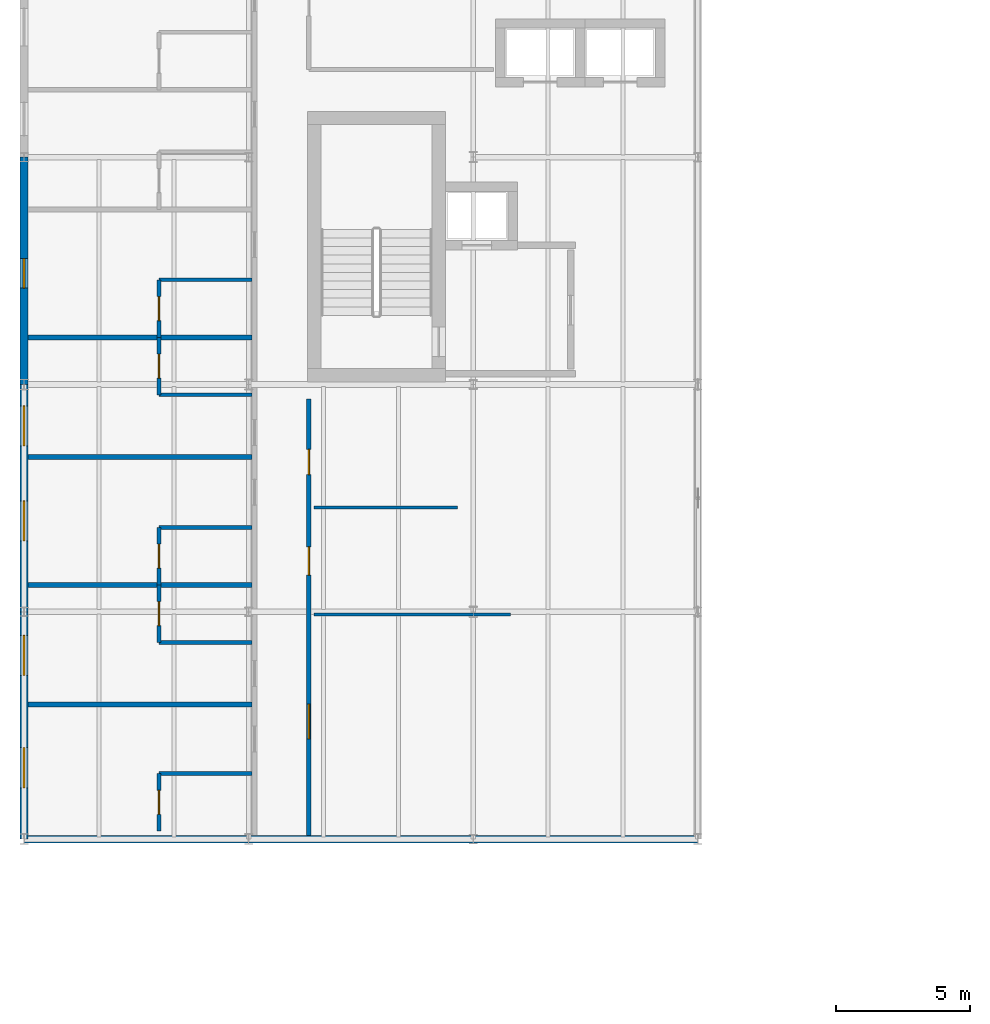
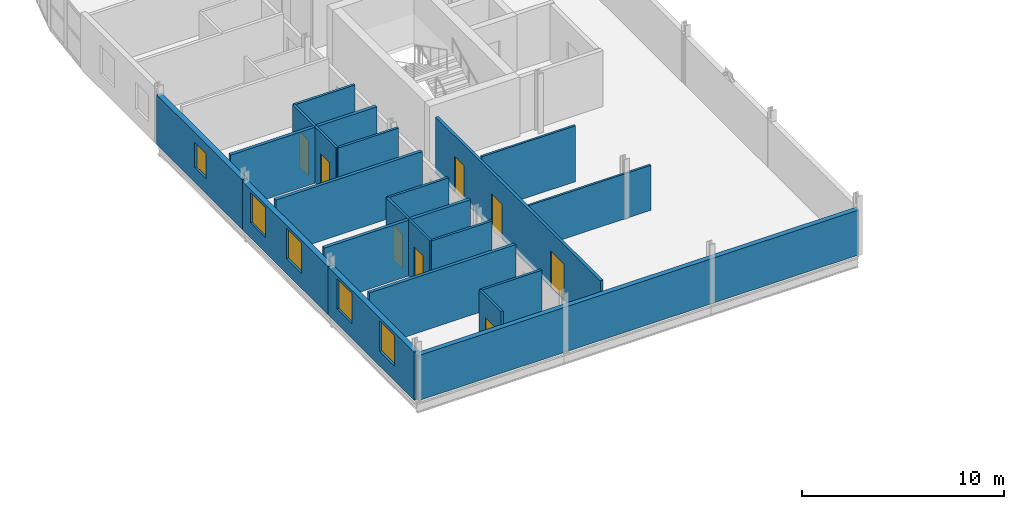
# One storey, part 13 of 25: 21 walls, 8 doors, 5 windows, 13 openings.
"""IFC4 building model written with IfcOpenShell, lengths in metres."""

import ifcopenshell
import ifcopenshell.guid

model = None  # the IFC model being written
_history = None  # IfcOwnerHistory: only IFC2X3 demands one
_inside = {}  # id of a spatial element -> (the spatial element, [elements in it])
_under = {}  # id of a project, library or spatial element -> (it, [spatial elements below it])
_declared = {}  # id of a project -> (the project, [libraries it declares])
_typed = {}  # id of a type object -> (the type object, [elements of that type])
_made_of = {}  # id of a material, layer set ... -> (it, [elements and type objects made of it])


def new_model(schema):
    """Start an empty IFC model of exactly this schema.

    Asked for "IFC4X3", IfcOpenShell would pick the latest addendum, in which some entities
    have other attributes; the version numbers below select the first issue.
    IFC2X3 requires an IfcOwnerHistory on every rooted entity: one is made here for all.
    """
    global model, _history
    if schema == "IFC4X3":
        model = ifcopenshell.file(schema_version=(4, 3, 0, 0))
    else:
        model = ifcopenshell.file(schema=schema)
    _inside.clear()
    _under.clear()
    _declared.clear()
    _typed.clear()
    _made_of.clear()
    _history = None
    if model.schema == "IFC2X3":
        org = make("IfcOrganization", Name="unknown")
        user = make(
            "IfcPersonAndOrganization",
            ThePerson=make("IfcPerson", FamilyName="unknown"),
            TheOrganization=org,
        )
        app = make(
            "IfcApplication",
            ApplicationDeveloper=org,
            Version="unknown",
            ApplicationFullName="unknown",
            ApplicationIdentifier="unknown",
        )
        _history = make(
            "IfcOwnerHistory",
            OwningUser=user,
            OwningApplication=app,
            ChangeAction="ADDED",
            CreationDate=0,
        )
    return model


def make(cls, **values):
    """One entity of the class cls with the attributes given. An attribute that is None is left unset."""
    return model.create_entity(
        cls, **{name: value for name, value in values.items() if value is not None}
    )


def rooted(cls, **values):
    """An entity with a GlobalId (a new one), such as an element, a storey or a relation."""
    return make(cls, GlobalId=ifcopenshell.guid.new(), OwnerHistory=_history, **values)


def si_unit(unit_type, name, prefix=None):
    """IfcSIUnit, for example si_unit("LENGTHUNIT", "METRE", prefix="MILLI")."""
    return make("IfcSIUnit", UnitType=unit_type, Prefix=prefix, Name=name)


def assignment(units):
    """IfcUnitAssignment: the units of a project."""
    return None if units is None else make("IfcUnitAssignment", Units=units)


def point(xyz):
    """IfcCartesianPoint."""
    return None if xyz is None else make("IfcCartesianPoint", Coordinates=xyz)


def direction(xyz):
    """IfcDirection."""
    return None if xyz is None else make("IfcDirection", DirectionRatios=xyz)


def frame(location, z_axis=None, x_axis=None):
    """IfcAxis2Placement3D, a coordinate frame: its origin and axes. An axis left out is left unset."""
    return make(
        "IfcAxis2Placement3D",
        Location=point(location),
        Axis=direction(z_axis),
        RefDirection=direction(x_axis),
    )


def frame_2d(location, x_axis=None):
    """IfcAxis2Placement2D, a coordinate frame in the plane: its origin and x axis."""
    return make(
        "IfcAxis2Placement2D", Location=point(location), RefDirection=direction(x_axis)
    )


def origin():
    """The frame at (0, 0, 0) with its axes left unset."""
    return frame((0.0, 0.0, 0.0))


def place(relative_to, where):
    """IfcLocalPlacement: puts the frame where relative to a parent placement (None: the world)."""
    return make(
        "IfcLocalPlacement", PlacementRelTo=relative_to, RelativePlacement=where
    )


def context(
    kind, dimensions, precision=None, world=None, true_north=None, identifier=None
):
    """IfcGeometricRepresentationContext, for example the 3D "Model" context."""
    return make(
        "IfcGeometricRepresentationContext",
        ContextIdentifier=identifier,
        ContextType=kind,
        CoordinateSpaceDimension=dimensions,
        Precision=precision,
        WorldCoordinateSystem=world,
        TrueNorth=true_north,
    )


def subcontext(parent, identifier, kind, view, scale=None):
    """IfcGeometricRepresentationSubContext, for example "Body" below "Model"."""
    return make(
        "IfcGeometricRepresentationSubContext",
        ContextIdentifier=identifier,
        ContextType=kind,
        ParentContext=parent,
        TargetScale=scale,
        TargetView=view,
    )


def project(units=None, contexts=None):
    """IfcProject with its units and contexts."""
    return rooted(
        "IfcProject",
        Name="project",
        RepresentationContexts=contexts,
        UnitsInContext=assignment(units),
    )


def spatial(cls, under=None, at=None, **own):
    """A site, building, storey or space (cls), placed at a placement, below another one or the project."""
    s = rooted(cls, ObjectPlacement=at, **own)
    if under is not None:
        _under.setdefault(under.id(), (under, []))[1].append(s)
    return s


def profile(cls, at=None, kind="AREA", **sizes):
    """A parametric profile (cls). Its sizes go by their IFC names, for example OverallWidth=200.0."""
    return make(cls, ProfileType=kind, Position=at, **sizes)


def rectangle(**sizes):
    """IfcRectangleProfileDef."""
    return profile("IfcRectangleProfileDef", **sizes)


def extrude(swept, where, along, depth):
    """IfcExtrudedAreaSolid: the profile swept, set in the frame where, extruded along a direction by depth."""
    return make(
        "IfcExtrudedAreaSolid",
        SweptArea=swept,
        Position=where,
        ExtrudedDirection=direction(along),
        Depth=depth,
    )


def shape(context_of_items, identifier, shape_type, items):
    """IfcShapeRepresentation: the items that make up one representation, for example the "Body"."""
    return make(
        "IfcShapeRepresentation",
        ContextOfItems=context_of_items,
        RepresentationIdentifier=identifier,
        RepresentationType=shape_type,
        Items=items,
    )


def material(Name=None, Category=None):
    """IfcMaterial."""
    return make("IfcMaterial", Name=Name, Category=Category)


def layer(
    of_material, thickness, ventilated=None, Name=None, Category=None, Priority=None
):
    """IfcMaterialLayer: one layer of a wall or slab, of a material (None: an air gap)."""
    return make(
        "IfcMaterialLayer",
        Material=of_material,
        LayerThickness=thickness,
        IsVentilated=ventilated,
        Name=Name,
        Category=Category,
        Priority=Priority,
    )


def layer_set(layers, Name=None):
    """IfcMaterialLayerSet."""
    return make("IfcMaterialLayerSet", MaterialLayers=layers, LayerSetName=Name)


def made_of(thing, what):
    """Note that an element or type object is made of a material, layer set ...; save() writes the relation."""
    if what is not None:
        _made_of.setdefault(what.id(), (what, []))[1].append(thing)
    return thing


def type_object(cls, material=None, **own):
    """A type object (cls), such as IfcWallType, which elements share."""
    return made_of(rooted(cls, **own), material)


def element(
    cls,
    number,
    at=None,
    inside=None,
    cuts=None,
    type_object=None,
    material=None,
    context=None,
    identifier="Body",
    shape_type=None,
    held_by="IfcProductDefinitionShape",
    body=None,
    shapes=None,
    **own,
):
    """One element of the class cls, such as IfcWall. Its Tag is "e" and its number.

    at: its placement. inside: the storey or other place that contains it. cuts: it is an
    opening in that element (IfcRelVoidsElement). A single representation is given by context,
    identifier, shape_type and body (its items); several are given by shapes. held_by: the class
    of the entity that holds the representations. save() writes the other relations.
    """
    e = rooted(cls, Tag="e%d" % number, ObjectPlacement=at, **own)
    if body is not None:
        shapes = [shape(context, identifier, shape_type, body)]
    if shapes is not None:
        e.Representation = make(held_by, Representations=shapes)
    if inside is not None:
        _inside.setdefault(inside.id(), (inside, []))[1].append(e)
    if cuts is not None:
        rooted(
            "IfcRelVoidsElement", RelatingBuildingElement=cuts, RelatedOpeningElement=e
        )
    if type_object is not None:
        _typed.setdefault(type_object.id(), (type_object, []))[1].append(e)
    return made_of(e, material)


def fill(opening, filler):
    """IfcRelFillsElement: the door or window that sits in an opening."""
    return rooted(
        "IfcRelFillsElement",
        RelatingOpeningElement=opening,
        RelatedBuildingElement=filler,
    )


def aggregate(whole, parts):
    """IfcRelAggregates: a whole, such as a stair, and the parts it consists of."""
    return rooted("IfcRelAggregates", RelatingObject=whole, RelatedObjects=parts)


def save(model, path):
    """Write the relations noted so far, then the file.

    IfcRelAggregates (storeys below a building ...), IfcRelContainedInSpatialStructure (elements
    in a storey), IfcRelDefinesByType, IfcRelAssociatesMaterial and IfcRelDeclares: one each for
    every whole, place, type object, material and project.
    """
    for whole, parts in _under.values():
        aggregate(whole, parts)
    for where, things in _inside.values():
        rooted(
            "IfcRelContainedInSpatialStructure",
            RelatedElements=things,
            RelatingStructure=where,
        )
    for kind, things in _typed.values():
        rooted("IfcRelDefinesByType", RelatedObjects=things, RelatingType=kind)
    for what, things in _made_of.values():
        rooted("IfcRelAssociatesMaterial", RelatedObjects=things, RelatingMaterial=what)
    for by, libraries in _declared.values():
        rooted("IfcRelDeclares", RelatingContext=by, RelatedDefinitions=libraries)
    model.write(path)


model = new_model("IFC4")

# Units and contexts
model_context = context("Model", 3, precision=1e-05, world=origin(), true_north=direction((0.0, 1.0)))
body_context = subcontext(model_context, "Body", "Model", "MODEL_VIEW")
ifc_project = project(units=[si_unit("LENGTHUNIT", "METRE"), si_unit("AREAUNIT", "SQUARE_METRE"), si_unit("VOLUMEUNIT", "CUBIC_METRE"), si_unit("PLANEANGLEUNIT", "RADIAN"), si_unit("MASSUNIT", "GRAM", prefix="KILO")], contexts=[model_context])

# Site, building, storey
site_placement = place(None, origin())
site = spatial("IfcSite", under=ifc_project, at=site_placement, CompositionType="ELEMENT")
building_placement = place(site_placement, origin())
building = spatial("IfcBuilding", under=site, at=building_placement, Name="Sefraquen Railside Congress Hotel", CompositionType="ELEMENT")
storey_placement = place(building_placement, frame((0.0, 0.0, 39.0)))
storey = spatial("IfcBuildingStorey", under=building, at=storey_placement, Name="L09", CompositionType="ELEMENT", Elevation=39.0)

# Wall
ifc_material_1 = material(Name="Ochre Rabat calcarenite limestone and Concrete C40/50 backing", Category="masonry")
ifc_layer_1 = layer(ifc_material_1, 0.280029296875)
ifc_layer_set_1 = layer_set([ifc_layer_1], Name="Ochre Rabat calcarenite limestone and Concrete C40/50 backing")
wall_type_1 = type_object("IfcWallType", Name="TW-EW-280", PredefinedType="STANDARD", material=ifc_layer_set_1)
wall_1_placement = place(storey_placement, frame((0.0, 62.5, 0.0), z_axis=(0.0, 0.0, 1.0), x_axis=(1.0, 0.0, 0.0)))
element("IfcWall", 1, at=wall_1_placement, inside=storey, type_object=wall_type_1, Name="Hotel L09 south-west return wall", PredefinedType="STANDARD", context=body_context, shape_type="SweptSolid", body=[
    extrude(rectangle(XDim=25.199951171875, YDim=0.280029296875, at=frame_2d((12.60009765625, 0.0))), origin(), (0.0, 0.0, 1.0), 2.719970703125),
])

# Wall, openings, windows
ifc_layer_2 = layer(ifc_material_1, 0.300048828125)
ifc_layer_set_2 = layer_set([ifc_layer_2], Name="Ochre Rabat calcarenite limestone and Concrete C40/50 backing")
wall_type_2 = type_object("IfcWallType", Name="TW-EW-300", PredefinedType="STANDARD", material=ifc_layer_set_2)
wall_2_placement = place(storey_placement, frame((0.0, 62.5, 0.0), z_axis=(0.0, 0.0, 1.0), x_axis=(0.0, 1.0, 0.0)))
wall_2 = element("IfcWall", 2, at=wall_2_placement, inside=storey, type_object=wall_type_2, Name="Hotel L09 West Forecourt facade wall", PredefinedType="STANDARD", context=body_context, shape_type="SweptSolid", body=[
    extrude(rectangle(XDim=8.5, YDim=0.300048828125, at=frame_2d((4.25, 0.0))), origin(), (0.0, 0.0, 1.0), 2.909912109375),
])
opening_1_placement = place(wall_2_placement, frame((1.9169921875, 0.0, 0.89990234375)))
opening_1 = element("IfcOpeningElement", 3, at=opening_1_placement, cuts=wall_2, Name="Opening WN-17", PredefinedType="OPENING", context=body_context, shape_type="SweptSolid", body=[
    extrude(rectangle(XDim=1.5, YDim=1.830078125, at=frame_2d((0.75, 0.9150390625))), frame((0.0, 0.159912109375, 0.0), z_axis=(0.0, -1.0, 0.0), x_axis=(1.0, 0.0, 0.0)), (0.0, 0.0, 1.0), 0.320068359375),
])
opening_2_placement = place(wall_2_placement, frame((6.118896484375, 0.0, 0.89990234375)))
opening_2 = element("IfcOpeningElement", 4, at=opening_2_placement, cuts=wall_2, Name="Opening WN-18", PredefinedType="OPENING", context=body_context, shape_type="SweptSolid", body=[
    extrude(rectangle(XDim=1.5, YDim=1.830078125, at=frame_2d((0.75, 0.9150390625))), frame((0.0, 0.159912109375, 0.0), z_axis=(0.0, -1.0, 0.0), x_axis=(1.0, 0.0, 0.0)), (0.0, 0.0, 1.0), 0.320068359375),
])
ifc_material_2 = material(Name="Solar-control low-E double glazing in bronze-anodised frame", Category="glass")
window_type_1 = type_object("IfcWindowType", Name="TWN-W-17", PartitioningType="DOUBLE_PANEL_VERTICAL", PredefinedType="WINDOW", material=ifc_material_2)
window_1_placement = place(opening_1_placement, origin())
window_1 = element("IfcWindow", 5, at=window_1_placement, inside=storey, type_object=window_type_1, Name="Guest room west window SP-L09-RM-026", OverallHeight=1.830078125, OverallWidth=1.5, PartitioningType="DOUBLE_PANEL_VERTICAL", PredefinedType="WINDOW", context=body_context, shape_type="SweptSolid", body=[
    extrude(rectangle(XDim=1.5, YDim=1.830078125, at=frame_2d((0.75, 0.9150390625))), frame((0.0, 0.030029296875, 0.0), z_axis=(0.0, -1.0, 0.0), x_axis=(1.0, 0.0, 0.0)), (0.0, 0.0, 1.0), 0.06005859375),
])
fill(opening_1, window_1)
window_type_2 = type_object("IfcWindowType", Name="TWN-W-18", PartitioningType="DOUBLE_PANEL_VERTICAL", PredefinedType="WINDOW", material=ifc_material_2)
window_2_placement = place(opening_2_placement, origin())
window_2 = element("IfcWindow", 6, at=window_2_placement, inside=storey, type_object=window_type_2, Name="Guest room west window SP-L09-RM-027", OverallHeight=1.830078125, OverallWidth=1.5, PartitioningType="DOUBLE_PANEL_VERTICAL", PredefinedType="WINDOW", context=body_context, shape_type="SweptSolid", body=[
    extrude(rectangle(XDim=1.5, YDim=1.830078125, at=frame_2d((0.75, 0.9150390625))), frame((0.0, 0.030029296875, 0.0), z_axis=(0.0, -1.0, 0.0), x_axis=(1.0, 0.0, 0.0)), (0.0, 0.0, 1.0), 0.06005859375),
])
fill(opening_2, window_2)

wall_3_placement = place(storey_placement, frame((0.0, 71.0, 0.0), z_axis=(0.0, 0.0, 1.0), x_axis=(0.0, 1.0, 0.0)))
wall_3 = element("IfcWall", 7, at=wall_3_placement, inside=storey, type_object=wall_type_2, Name="Hotel L09 West Forecourt facade wall", PredefinedType="STANDARD", context=body_context, shape_type="SweptSolid", body=[
    extrude(rectangle(XDim=8.5, YDim=0.300048828125, at=frame_2d((4.25, 0.0))), origin(), (0.0, 0.0, 1.0), 2.909912109375),
])
opening_3_placement = place(wall_3_placement, frame((2.64794921875, 0.0, 0.89990234375)))
opening_3 = element("IfcOpeningElement", 8, at=opening_3_placement, cuts=wall_3, Name="Opening WN-19", PredefinedType="OPENING", context=body_context, shape_type="SweptSolid", body=[
    extrude(rectangle(XDim=1.5, YDim=1.830078125, at=frame_2d((0.75, 0.9150390625))), frame((0.0, 0.159912109375, 0.0), z_axis=(0.0, -1.0, 0.0), x_axis=(1.0, 0.0, 0.0)), (0.0, 0.0, 1.0), 0.320068359375),
])
opening_4_placement = place(wall_3_placement, frame((6.199951171875, 0.0, 0.89990234375)))
opening_4 = element("IfcOpeningElement", 9, at=opening_4_placement, cuts=wall_3, Name="Opening WN-20", PredefinedType="OPENING", context=body_context, shape_type="SweptSolid", body=[
    extrude(rectangle(XDim=1.5, YDim=1.830078125, at=frame_2d((0.75, 0.9150390625))), frame((0.0, 0.159912109375, 0.0), z_axis=(0.0, -1.0, 0.0), x_axis=(1.0, 0.0, 0.0)), (0.0, 0.0, 1.0), 0.320068359375),
])
window_type_3 = type_object("IfcWindowType", Name="TWN-W-19", PartitioningType="DOUBLE_PANEL_VERTICAL", PredefinedType="WINDOW", material=ifc_material_2)
window_3_placement = place(opening_3_placement, origin())
window_3 = element("IfcWindow", 10, at=window_3_placement, inside=storey, type_object=window_type_3, Name="Guest room west window SP-L09-RM-028", OverallHeight=1.830078125, OverallWidth=1.5, PartitioningType="DOUBLE_PANEL_VERTICAL", PredefinedType="WINDOW", context=body_context, shape_type="SweptSolid", body=[
    extrude(rectangle(XDim=1.5, YDim=1.830078125, at=frame_2d((0.75, 0.9150390625))), frame((0.0, 0.030029296875, 0.0), z_axis=(0.0, -1.0, 0.0), x_axis=(1.0, 0.0, 0.0)), (0.0, 0.0, 1.0), 0.06005859375),
])
fill(opening_3, window_3)
window_type_4 = type_object("IfcWindowType", Name="TWN-W-20", PartitioningType="DOUBLE_PANEL_VERTICAL", PredefinedType="WINDOW", material=ifc_material_2)
window_4_placement = place(opening_4_placement, origin())
window_4 = element("IfcWindow", 11, at=window_4_placement, inside=storey, type_object=window_type_4, Name="Guest room west window SP-L09-RM-029", OverallHeight=1.830078125, OverallWidth=1.5, PartitioningType="DOUBLE_PANEL_VERTICAL", PredefinedType="WINDOW", context=body_context, shape_type="SweptSolid", body=[
    extrude(rectangle(XDim=1.5, YDim=1.830078125, at=frame_2d((0.75, 0.9150390625))), frame((0.0, 0.030029296875, 0.0), z_axis=(0.0, -1.0, 0.0), x_axis=(1.0, 0.0, 0.0)), (0.0, 0.0, 1.0), 0.06005859375),
])
fill(opening_4, window_4)

# Wall, opening, window
wall_4_placement = place(storey_placement, frame((0.0, 79.5, 0.0), z_axis=(0.0, 0.0, 1.0), x_axis=(0.0, 1.0, 0.0)))
wall_4 = element("IfcWall", 12, at=wall_4_placement, inside=storey, type_object=wall_type_2, Name="Hotel L09 West Forecourt facade wall", PredefinedType="STANDARD", context=body_context, shape_type="SweptSolid", body=[
    extrude(rectangle(XDim=8.5, YDim=0.300048828125, at=frame_2d((4.25, 0.0))), origin(), (0.0, 0.0, 1.0), 3.010009765625),
])
opening_5_placement = place(wall_4_placement, frame((3.60498046875, 0.0, 0.89990234375)))
opening_5 = element("IfcOpeningElement", 13, at=opening_5_placement, cuts=wall_4, Name="Opening WN-21", PredefinedType="OPENING", context=body_context, shape_type="SweptSolid", body=[
    extrude(rectangle(XDim=1.10009765625, YDim=1.5, at=frame_2d((0.550048828125, 0.75))), frame((0.0, 0.159912109375, 0.0), z_axis=(0.0, -1.0, 0.0), x_axis=(1.0, 0.0, 0.0)), (0.0, 0.0, 1.0), 0.320068359375),
])
window_type_5 = type_object("IfcWindowType", Name="TWN-W-21", PartitioningType="DOUBLE_PANEL_VERTICAL", PredefinedType="WINDOW", material=ifc_material_2)
window_5_placement = place(opening_5_placement, origin())
window_5 = element("IfcWindow", 14, at=window_5_placement, inside=storey, type_object=window_type_5, Name="Guest room west window SP-L09-RM-030", OverallHeight=1.5, OverallWidth=1.10009765625, PartitioningType="DOUBLE_PANEL_VERTICAL", PredefinedType="WINDOW", context=body_context, shape_type="SweptSolid", body=[
    extrude(rectangle(XDim=1.10009765625, YDim=1.5, at=frame_2d((0.550048828125, 0.75))), frame((0.0, 0.030029296875, 0.0), z_axis=(0.0, -1.0, 0.0), x_axis=(1.0, 0.0, 0.0)), (0.0, 0.0, 1.0), 0.06005859375),
])
fill(opening_5, window_5)

# Walls
ifc_material_3 = material(Name="Gypsum board on metal stud", Category="gypsum")
ifc_layer_3 = layer(ifc_material_3, 0.1201171875)
ifc_layer_set_3 = layer_set([ifc_layer_3], Name="Gypsum board on metal stud")
wall_type_3 = type_object("IfcWallType", Name="TW-PW-120", PredefinedType="PARTITIONING", material=ifc_layer_set_3)
wall_5_placement = place(storey_placement, frame((10.85009765625, 70.89990234375, 0.0), z_axis=(0.0, 0.0, 1.0), x_axis=(1.0, 0.0, 0.0)))
element("IfcWall", 15, at=wall_5_placement, inside=storey, type_object=wall_type_3, Name="Lounge-pantry divider L09", PredefinedType="PARTITIONING", context=body_context, shape_type="SweptSolid", body=[
    extrude(rectangle(XDim=7.349853515625, YDim=0.1201171875, at=frame_2d((3.6748046875, 0.0))), origin(), (0.0, 0.0, 1.0), 2.719970703125),
])
wall_6_placement = place(storey_placement, frame((10.85009765625, 74.89990234375, 0.0), z_axis=(0.0, 0.0, 1.0), x_axis=(1.0, 0.0, 0.0)))
element("IfcWall", 16, at=wall_6_placement, inside=storey, type_object=wall_type_3, Name="Pantry-WC divider L09", PredefinedType="PARTITIONING", context=body_context, shape_type="SweptSolid", body=[
    extrude(rectangle(XDim=5.349853515625, YDim=0.1201171875, at=frame_2d((2.6748046875, 0.0))), origin(), (0.0, 0.0, 1.0), 3.3798828125),
])
ifc_material_4 = material(Name="Moisture-resistant gypsum board", Category="gypsum")
ifc_layer_4 = layer(ifc_material_4, 0.139892578125)
ifc_layer_set_4 = layer_set([ifc_layer_4], Name="Moisture-resistant gypsum board")
wall_type_4 = type_object("IfcWallType", Name="TW-PW-140", PredefinedType="PARTITIONING", material=ifc_layer_set_4)
wall_7_placement = place(storey_placement, frame((5.050048828125, 64.949951171875, 0.0), z_axis=(0.0, 0.0, 1.0), x_axis=(1.0, 0.0, 0.0)))
element("IfcWall", 17, at=wall_7_placement, inside=storey, type_object=wall_type_4, Name="West en-suite bathroom north wall RM-026", PredefinedType="PARTITIONING", context=body_context, shape_type="SweptSolid", body=[
    extrude(rectangle(XDim=3.469970703125, YDim=0.139892578125, at=frame_2d((1.73486328125, 0.0))), origin(), (0.0, 0.0, 1.0), 3.3798828125),
])

# Wall, opening, door
wall_8_placement = place(storey_placement, frame((5.050048828125, 62.800048828125, 0.0), z_axis=(0.0, 0.0, 1.0), x_axis=(0.0, 1.0, 0.0)))
wall_8 = element("IfcWall", 18, at=wall_8_placement, inside=storey, type_object=wall_type_4, Name="West en-suite bathroom west wall RM-026", PredefinedType="PARTITIONING", context=body_context, shape_type="SweptSolid", body=[
    extrude(rectangle(XDim=2.14990234375, YDim=0.139892578125, at=frame_2d((1.074951171875, 0.0))), origin(), (0.0, 0.0, 1.0), 3.3798828125),
])
opening_6_placement = place(wall_8_placement, frame((0.625, 0.0, 0.0)))
opening_6 = element("IfcOpeningElement", 19, at=opening_6_placement, cuts=wall_8, Name="Opening ID-02", PredefinedType="OPENING", context=body_context, shape_type="SweptSolid", body=[
    extrude(rectangle(XDim=0.89990234375, YDim=2.10009765625, at=frame_2d((0.449951171875, 1.050048828125))), frame((0.0, 0.079833984375, 0.0), z_axis=(0.0, -1.0, 0.0), x_axis=(1.0, 0.0, 0.0)), (0.0, 0.0, 1.0), 0.159912109375),
])
ifc_material_5 = material(Name="Lacquered cedar joinery", Category="wood")
door_type_1 = type_object("IfcDoorType", Name="TD-ID-02", OperationType="NOTDEFINED", PredefinedType="DOOR", material=ifc_material_5)
door_1_placement = place(opening_6_placement, frame((0.89990234375, 0.0, 0.0), z_axis=(0.0, 0.0, 1.0), x_axis=(-1.0, 0.0, 0.0)))
door_1 = element("IfcDoor", 20, at=door_1_placement, inside=storey, type_object=door_type_1, Name="En-suite bathroom door RM-026", OperationType="SINGLE_SWING_LEFT", OverallHeight=2.10009765625, OverallWidth=0.89990234375, PredefinedType="DOOR", context=body_context, shape_type="SweptSolid", body=[
    extrude(rectangle(XDim=0.89990234375, YDim=2.10009765625, at=frame_2d((0.449951171875, 1.050048828125))), frame((0.0, 0.02490234375, 0.0), z_axis=(0.0, -1.0, 0.0), x_axis=(1.0, 0.0, 0.0)), (0.0, 0.0, 1.0), 0.050048828125),
])
fill(opening_6, door_1)

# Wall
wall_9_placement = place(storey_placement, frame((5.050048828125, 69.85498046875, 0.0), z_axis=(0.0, 0.0, 1.0), x_axis=(1.0, 0.0, 0.0)))
element("IfcWall", 21, at=wall_9_placement, inside=storey, type_object=wall_type_4, Name="West en-suite bathroom south wall RM-027", PredefinedType="PARTITIONING", context=body_context, shape_type="SweptSolid", body=[
    extrude(rectangle(XDim=3.469970703125, YDim=0.139892578125, at=frame_2d((1.73486328125, 0.0))), origin(), (0.0, 0.0, 1.0), 3.3798828125),
])

# Wall, opening, door
wall_10_placement = place(storey_placement, frame((5.050048828125, 69.85498046875, 0.0), z_axis=(0.0, 0.0, 1.0), x_axis=(0.0, 1.0, 0.0)))
wall_10 = element("IfcWall", 22, at=wall_10_placement, inside=storey, type_object=wall_type_4, Name="West en-suite bathroom west wall RM-027", PredefinedType="PARTITIONING", context=body_context, shape_type="SweptSolid", body=[
    extrude(rectangle(XDim=2.14990234375, YDim=0.139892578125, at=frame_2d((1.074951171875, 0.0))), origin(), (0.0, 0.0, 1.0), 3.3798828125),
])
opening_7_placement = place(wall_10_placement, frame((0.625, 0.0, 0.0)))
opening_7 = element("IfcOpeningElement", 23, at=opening_7_placement, cuts=wall_10, Name="Opening ID-02", PredefinedType="OPENING", context=body_context, shape_type="SweptSolid", body=[
    extrude(rectangle(XDim=0.89990234375, YDim=2.10009765625, at=frame_2d((0.449951171875, 1.050048828125))), frame((0.0, 0.079833984375, 0.0), z_axis=(0.0, -1.0, 0.0), x_axis=(1.0, 0.0, 0.0)), (0.0, 0.0, 1.0), 0.159912109375),
])
door_2_placement = place(opening_7_placement, frame((0.89990234375, 0.0, 0.0), z_axis=(0.0, 0.0, 1.0), x_axis=(-1.0, 0.0, 0.0)))
door_2 = element("IfcDoor", 24, at=door_2_placement, inside=storey, type_object=door_type_1, Name="En-suite bathroom door RM-027", OperationType="SINGLE_SWING_LEFT", OverallHeight=2.10009765625, OverallWidth=0.89990234375, PredefinedType="DOOR", context=body_context, shape_type="SweptSolid", body=[
    extrude(rectangle(XDim=0.89990234375, YDim=2.10009765625, at=frame_2d((0.449951171875, 1.050048828125))), frame((0.0, 0.02490234375, 0.0), z_axis=(0.0, -1.0, 0.0), x_axis=(1.0, 0.0, 0.0)), (0.0, 0.0, 1.0), 0.050048828125),
])
fill(opening_7, door_2)

# Wall
wall_11_placement = place(storey_placement, frame((5.050048828125, 74.155029296875, 0.0), z_axis=(0.0, 0.0, 1.0), x_axis=(1.0, 0.0, 0.0)))
element("IfcWall", 25, at=wall_11_placement, inside=storey, type_object=wall_type_4, Name="West en-suite bathroom north wall RM-028", PredefinedType="PARTITIONING", context=body_context, shape_type="SweptSolid", body=[
    extrude(rectangle(XDim=3.469970703125, YDim=0.139892578125, at=frame_2d((1.73486328125, 0.0))), origin(), (0.0, 0.0, 1.0), 3.3798828125),
])

# Wall, opening, door
wall_12_placement = place(storey_placement, frame((5.050048828125, 72.0048828125, 0.0), z_axis=(0.0, 0.0, 1.0), x_axis=(0.0, 1.0, 0.0)))
wall_12 = element("IfcWall", 26, at=wall_12_placement, inside=storey, type_object=wall_type_4, Name="West en-suite bathroom west wall RM-028", PredefinedType="PARTITIONING", context=body_context, shape_type="SweptSolid", body=[
    extrude(rectangle(XDim=2.150146484375, YDim=0.139892578125, at=frame_2d((1.0751953125, 0.0))), origin(), (0.0, 0.0, 1.0), 3.3798828125),
])
opening_8_placement = place(wall_12_placement, frame((0.625, 0.0, 0.0)))
opening_8 = element("IfcOpeningElement", 27, at=opening_8_placement, cuts=wall_12, Name="Opening ID-02", PredefinedType="OPENING", context=body_context, shape_type="SweptSolid", body=[
    extrude(rectangle(XDim=0.89990234375, YDim=2.10009765625, at=frame_2d((0.449951171875, 1.050048828125))), frame((0.0, 0.079833984375, 0.0), z_axis=(0.0, -1.0, 0.0), x_axis=(1.0, 0.0, 0.0)), (0.0, 0.0, 1.0), 0.159912109375),
])
door_3_placement = place(opening_8_placement, frame((0.89990234375, 0.0, 0.0), z_axis=(0.0, 0.0, 1.0), x_axis=(-1.0, 0.0, 0.0)))
door_3 = element("IfcDoor", 28, at=door_3_placement, inside=storey, type_object=door_type_1, Name="En-suite bathroom door RM-028", OperationType="SINGLE_SWING_LEFT", OverallHeight=2.10009765625, OverallWidth=0.89990234375, PredefinedType="DOOR", context=body_context, shape_type="SweptSolid", body=[
    extrude(rectangle(XDim=0.89990234375, YDim=2.10009765625, at=frame_2d((0.449951171875, 1.050048828125))), frame((0.0, 0.02490234375, 0.0), z_axis=(0.0, -1.0, 0.0), x_axis=(1.0, 0.0, 0.0)), (0.0, 0.0, 1.0), 0.050048828125),
])
fill(opening_8, door_3)

# Wall
wall_13_placement = place(storey_placement, frame((5.050048828125, 79.112060546875, 0.0), z_axis=(0.0, 0.0, 1.0), x_axis=(1.0, 0.0, 0.0)))
element("IfcWall", 29, at=wall_13_placement, inside=storey, type_object=wall_type_4, Name="West en-suite bathroom south wall RM-029", PredefinedType="PARTITIONING", context=body_context, shape_type="SweptSolid", body=[
    extrude(rectangle(XDim=3.469970703125, YDim=0.139892578125, at=frame_2d((1.73486328125, 0.0))), origin(), (0.0, 0.0, 1.0), 3.3798828125),
])

# Wall, opening, door
wall_14_placement = place(storey_placement, frame((5.050048828125, 79.112060546875, 0.0), z_axis=(0.0, 0.0, 1.0), x_axis=(0.0, 1.0, 0.0)))
wall_14 = element("IfcWall", 30, at=wall_14_placement, inside=storey, type_object=wall_type_4, Name="West en-suite bathroom west wall RM-029", PredefinedType="PARTITIONING", context=body_context, shape_type="SweptSolid", body=[
    extrude(rectangle(XDim=2.14990234375, YDim=0.139892578125, at=frame_2d((1.074951171875, 0.0))), origin(), (0.0, 0.0, 1.0), 3.3798828125),
])
opening_9_placement = place(wall_14_placement, frame((0.625, 0.0, 0.0)))
opening_9 = element("IfcOpeningElement", 31, at=opening_9_placement, cuts=wall_14, Name="Opening ID-02", PredefinedType="OPENING", context=body_context, shape_type="SweptSolid", body=[
    extrude(rectangle(XDim=0.89990234375, YDim=2.10009765625, at=frame_2d((0.449951171875, 1.050048828125))), frame((0.0, 0.079833984375, 0.0), z_axis=(0.0, -1.0, 0.0), x_axis=(1.0, 0.0, 0.0)), (0.0, 0.0, 1.0), 0.159912109375),
])
door_4_placement = place(opening_9_placement, frame((0.89990234375, 0.0, 0.0), z_axis=(0.0, 0.0, 1.0), x_axis=(-1.0, 0.0, 0.0)))
door_4 = element("IfcDoor", 32, at=door_4_placement, inside=storey, type_object=door_type_1, Name="En-suite bathroom door RM-029", OperationType="SINGLE_SWING_LEFT", OverallHeight=2.10009765625, OverallWidth=0.89990234375, PredefinedType="DOOR", context=body_context, shape_type="SweptSolid", body=[
    extrude(rectangle(XDim=0.89990234375, YDim=2.10009765625, at=frame_2d((0.449951171875, 1.050048828125))), frame((0.0, 0.02490234375, 0.0), z_axis=(0.0, -1.0, 0.0), x_axis=(1.0, 0.0, 0.0)), (0.0, 0.0, 1.0), 0.050048828125),
])
fill(opening_9, door_4)

# Wall
wall_15_placement = place(storey_placement, frame((5.050048828125, 83.412109375, 0.0), z_axis=(0.0, 0.0, 1.0), x_axis=(1.0, 0.0, 0.0)))
element("IfcWall", 33, at=wall_15_placement, inside=storey, type_object=wall_type_4, Name="West en-suite bathroom north wall RM-030", PredefinedType="PARTITIONING", context=body_context, shape_type="SweptSolid", body=[
    extrude(rectangle(XDim=3.469970703125, YDim=0.139892578125, at=frame_2d((1.73486328125, 0.0))), origin(), (0.0, 0.0, 1.0), 3.3798828125),
])

# Wall, opening, door
wall_16_placement = place(storey_placement, frame((5.050048828125, 81.261962890625, 0.0), z_axis=(0.0, 0.0, 1.0), x_axis=(0.0, 1.0, 0.0)))
wall_16 = element("IfcWall", 34, at=wall_16_placement, inside=storey, type_object=wall_type_4, Name="West en-suite bathroom west wall RM-030", PredefinedType="PARTITIONING", context=body_context, shape_type="SweptSolid", body=[
    extrude(rectangle(XDim=2.150146484375, YDim=0.139892578125, at=frame_2d((1.0751953125, 0.0))), origin(), (0.0, 0.0, 1.0), 3.3798828125),
])
opening_10_placement = place(wall_16_placement, frame((0.625, 0.0, 0.0)))
opening_10 = element("IfcOpeningElement", 35, at=opening_10_placement, cuts=wall_16, Name="Opening ID-02", PredefinedType="OPENING", context=body_context, shape_type="SweptSolid", body=[
    extrude(rectangle(XDim=0.89990234375, YDim=2.10009765625, at=frame_2d((0.449951171875, 1.050048828125))), frame((0.0, 0.079833984375, 0.0), z_axis=(0.0, -1.0, 0.0), x_axis=(1.0, 0.0, 0.0)), (0.0, 0.0, 1.0), 0.159912109375),
])
door_5_placement = place(opening_10_placement, frame((0.89990234375, 0.0, 0.0), z_axis=(0.0, 0.0, 1.0), x_axis=(-1.0, 0.0, 0.0)))
door_5 = element("IfcDoor", 36, at=door_5_placement, inside=storey, type_object=door_type_1, Name="En-suite bathroom door RM-030", OperationType="SINGLE_SWING_LEFT", OverallHeight=2.10009765625, OverallWidth=0.89990234375, PredefinedType="DOOR", context=body_context, shape_type="SweptSolid", body=[
    extrude(rectangle(XDim=0.89990234375, YDim=2.10009765625, at=frame_2d((0.449951171875, 1.050048828125))), frame((0.0, 0.02490234375, 0.0), z_axis=(0.0, -1.0, 0.0), x_axis=(1.0, 0.0, 0.0)), (0.0, 0.0, 1.0), 0.050048828125),
])
fill(opening_10, door_5)

# Wall, openings, doors
ifc_layer_5 = layer(ifc_material_4, 0.159912109375)
ifc_layer_set_5 = layer_set([ifc_layer_5], Name="Moisture-resistant gypsum board")
wall_type_5 = type_object("IfcWallType", Name="TW-PW-160", PredefinedType="PARTITIONING", material=ifc_layer_set_5)
wall_17_placement = place(storey_placement, frame((10.64990234375, 62.639892578125, 0.0), z_axis=(0.0, 0.0, 1.0), x_axis=(0.0, 1.0, 0.0)))
wall_17 = element("IfcWall", 37, at=wall_17_placement, inside=storey, type_object=wall_type_5, Name="Hotel L09 west-return corridor E1 partition", PredefinedType="PARTITIONING", context=body_context, shape_type="SweptSolid", body=[
    extrude(rectangle(XDim=16.31005859375, YDim=0.159912109375, at=frame_2d((8.155029296875, 0.0))), origin(), (0.0, 0.0, 1.0), 3.3798828125),
])
opening_11_placement = place(wall_17_placement, frame((3.610107421875, 0.0, 0.0)))
opening_11 = element("IfcOpeningElement", 38, at=opening_11_placement, cuts=wall_17, Name="Opening MD-02", PredefinedType="OPENING", context=body_context, shape_type="SweptSolid", body=[
    extrude(rectangle(XDim=1.300048828125, YDim=2.199951171875, at=frame_2d((0.64990234375, 1.10009765625))), frame((0.0, 0.08984375, 0.0), z_axis=(0.0, -1.0, 0.0), x_axis=(1.0, 0.0, 0.0)), (0.0, 0.0, 1.0), 0.179931640625),
])
opening_12_placement = place(wall_17_placement, frame((9.735107421875, 0.0, 0.0)))
opening_12 = element("IfcOpeningElement", 39, at=opening_12_placement, cuts=wall_17, Name="Opening ID-04", PredefinedType="OPENING", context=body_context, shape_type="SweptSolid", body=[
    extrude(rectangle(XDim=1.050048828125, YDim=2.1201171875, at=frame_2d((0.52490234375, 1.06005859375))), frame((0.0, 0.08984375, 0.0), z_axis=(0.0, -1.0, 0.0), x_axis=(1.0, 0.0, 0.0)), (0.0, 0.0, 1.0), 0.179931640625),
])
opening_13_placement = place(wall_17_placement, frame((13.489990234375, 0.0, 0.0)))
opening_13 = element("IfcOpeningElement", 40, at=opening_13_placement, cuts=wall_17, Name="Opening ID-01", PredefinedType="OPENING", context=body_context, shape_type="SweptSolid", body=[
    extrude(rectangle(XDim=0.93994140625, YDim=2.14990234375, at=frame_2d((0.469970703125, 1.074951171875))), frame((0.0, 0.08984375, 0.0), z_axis=(0.0, -1.0, 0.0), x_axis=(1.0, 0.0, 0.0)), (0.0, 0.0, 1.0), 0.179931640625),
])
door_type_2 = type_object("IfcDoorType", Name="TD-ID-01", OperationType="NOTDEFINED", PredefinedType="DOOR", material=ifc_material_5)
door_6_placement = place(opening_13_placement, origin())
door_6 = element("IfcDoor", 41, at=door_6_placement, inside=storey, type_object=door_type_2, Name="Hotel floor Accessible WC door L09", OperationType="SINGLE_SWING_LEFT", OverallHeight=2.14990234375, OverallWidth=0.93994140625, PredefinedType="DOOR", context=body_context, shape_type="SweptSolid", body=[
    extrude(rectangle(XDim=0.93994140625, YDim=2.14990234375, at=frame_2d((0.469970703125, 1.074951171875))), frame((0.0, 0.02490234375, 0.0), z_axis=(0.0, -1.0, 0.0), x_axis=(1.0, 0.0, 0.0)), (0.0, 0.0, 1.0), 0.050048828125),
])
fill(opening_13, door_6)
ifc_material_6 = material(Name="Painted timber", Category="wood")
door_type_3 = type_object("IfcDoorType", Name="TD-ID-04", OperationType="NOTDEFINED", PredefinedType="DOOR", material=ifc_material_6)
door_7_placement = place(opening_12_placement, origin())
door_7 = element("IfcDoor", 42, at=door_7_placement, inside=storey, type_object=door_type_3, Name="Housekeeping pantry door L09", OperationType="SINGLE_SWING_RIGHT", OverallHeight=2.1201171875, OverallWidth=1.050048828125, PredefinedType="DOOR", context=body_context, shape_type="SweptSolid", body=[
    extrude(rectangle(XDim=1.050048828125, YDim=2.1201171875, at=frame_2d((0.52490234375, 1.06005859375))), frame((0.0, 0.02490234375, 0.0), z_axis=(0.0, -1.0, 0.0), x_axis=(1.0, 0.0, 0.0)), (0.0, 0.0, 1.0), 0.050048828125),
])
fill(opening_12, door_7)
ifc_material_7 = material(Name="Acoustic cedar veneer", Category="wood")
door_type_4 = type_object("IfcDoorType", Name="TD-MD-02", OperationType="NOTDEFINED", PredefinedType="DOOR", material=ifc_material_7)
door_8_placement = place(opening_11_placement, origin())
door_8 = element("IfcDoor", 43, at=door_8_placement, inside=storey, type_object=door_type_4, Name="Floor hospitality salon door L09", OperationType="SINGLE_SWING_LEFT", OverallHeight=2.199951171875, OverallWidth=1.300048828125, PredefinedType="DOOR", context=body_context, shape_type="SweptSolid", body=[
    extrude(rectangle(XDim=1.300048828125, YDim=2.199951171875, at=frame_2d((0.64990234375, 1.10009765625))), frame((0.0, 0.02490234375, 0.0), z_axis=(0.0, -1.0, 0.0), x_axis=(1.0, 0.0, 0.0)), (0.0, 0.0, 1.0), 0.050048828125),
])
fill(opening_11, door_8)

# Walls
ifc_material_8 = material(Name="Acoustic gypsum board on metal stud", Category="gypsum")
ifc_layer_6 = layer(ifc_material_8, 0.179931640625)
ifc_layer_set_6 = layer_set([ifc_layer_6], Name="Acoustic gypsum board on metal stud")
wall_type_6 = type_object("IfcWallType", Name="TW-PW-180", PredefinedType="PARTITIONING", material=ifc_layer_set_6)
for number, where, z_axis, x_axis, name in (
    (44, (0.14990234375, 67.533935546875, 0.0), (0.0, 0.0, 1.0), (1.0, 0.0, 0.0), "West return guest room demising wall RM-026"),
    (45, (0.14990234375, 72.0048828125, 0.0), (0.0, 0.0, 1.0), (1.0, 0.0, 0.0), "West return guest room demising wall RM-027"),
    (46, (0.14990234375, 76.791015625, 0.0), (0.0, 0.0, 1.0), (1.0, 0.0, 0.0), "West return guest room demising wall RM-028"),
    (47, (0.14990234375, 81.261962890625, 0.0), (0.0, 0.0, 1.0), (1.0, 0.0, 0.0), "West return guest room demising wall RM-029"),
):
    element("IfcWall", number, at=place(storey_placement, frame(where, z_axis=z_axis, x_axis=x_axis)), inside=storey, type_object=wall_type_6, Name=name, PredefinedType="PARTITIONING", context=body_context, shape_type="SweptSolid", body=[
        extrude(rectangle(XDim=8.3701171875, YDim=0.179931640625, at=frame_2d((4.18505859375, 0.0))), origin(), (0.0, 0.0, 1.0), 3.3798828125),
    ])

save(model, "model.ifc")
